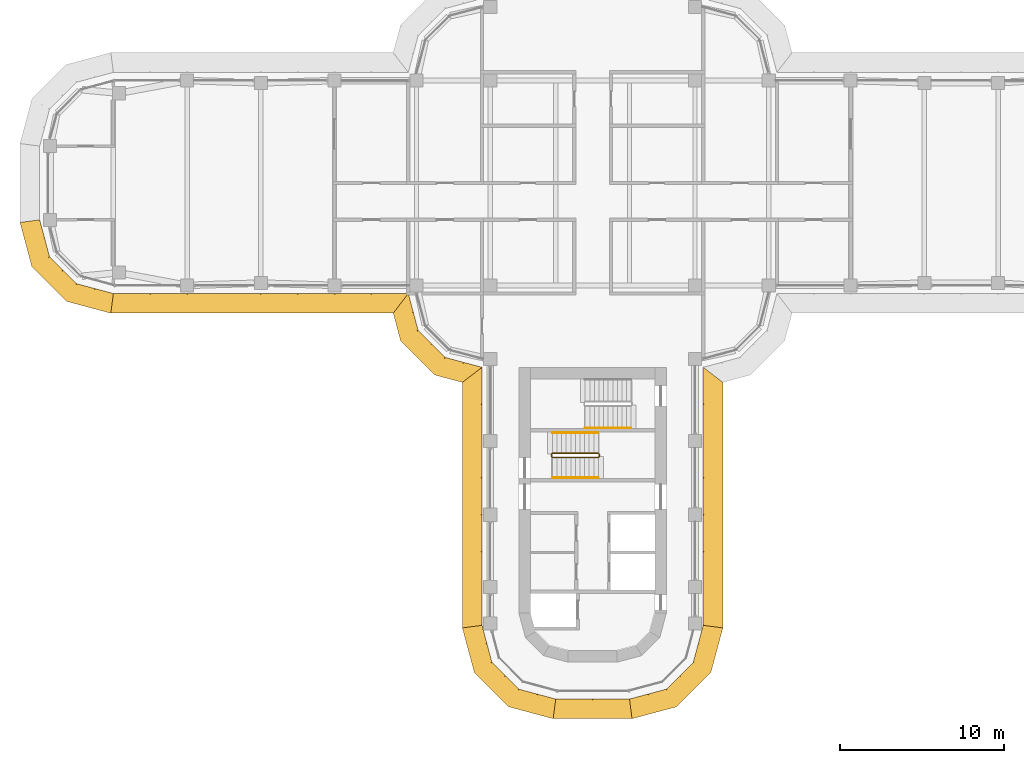
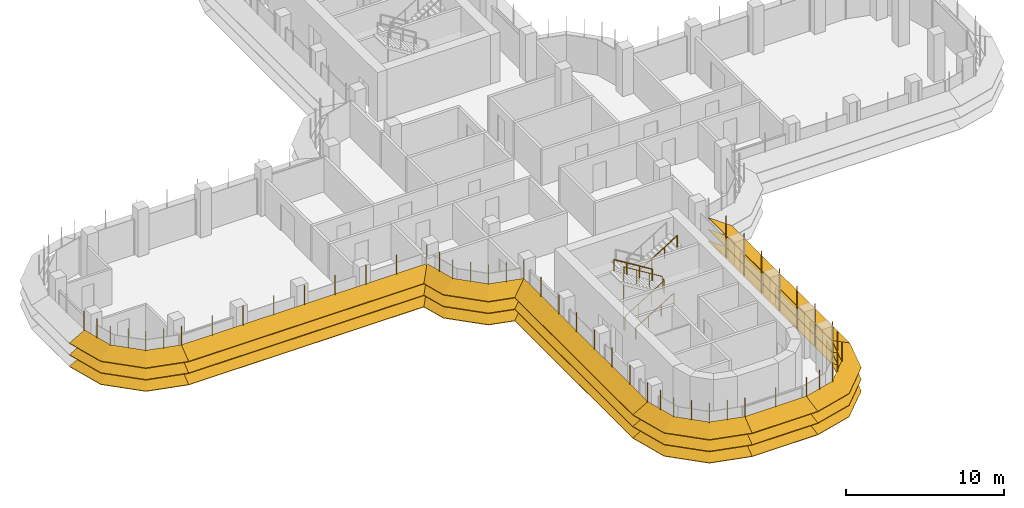
# One storey, part 17 of 20: 8 shading devices, 4 railings.
"""IFC4 building model written with IfcOpenShell, lengths in metres."""

from ifc_helpers import new_model, si_unit, direction, frame, origin, origin_2d, place, context, subcontext, project, spatial, polyline, circle, outline, extrude, faceted_brep, source, transform, mapped, material, type_object, element, save


model = new_model("IFC4")

# Units and contexts
model_context = context("Model", 3, precision=1e-05, world=origin(), true_north=direction((0.0, 1.0)))
body_context = subcontext(model_context, "Body", "Model", "MODEL_VIEW")
ifc_project = project(units=[si_unit("LENGTHUNIT", "METRE"), si_unit("AREAUNIT", "SQUARE_METRE"), si_unit("VOLUMEUNIT", "CUBIC_METRE"), si_unit("PLANEANGLEUNIT", "RADIAN"), si_unit("MASSUNIT", "GRAM", prefix="KILO")], contexts=[model_context])

# Site, building, storey
site_placement = place(None, origin())
site = spatial("IfcSite", under=ifc_project, at=site_placement, CompositionType="ELEMENT")
building_placement = place(site_placement, origin())
building = spatial("IfcBuilding", under=site, at=building_placement, Name="Zarbagh Exchange Tower", CompositionType="ELEMENT")
storey_placement = place(building_placement, frame((0.0, 0.0, 163.800048828125)))
storey = spatial("IfcBuildingStorey", under=building, at=storey_placement, Name="L39", CompositionType="ELEMENT", Elevation=163.800048828125)

# Railings
ifc_material_1 = material(Name="Stainless steel", Category="steel")
railing_type_1 = type_object("IfcRailingType", Name="Stair guard 1100 mm", PredefinedType="GUARDRAIL", material=ifc_material_1)
railing_1_placement = place(storey_placement, frame((0.35009765625, -16.5, 2.07275390625)))
element("IfcRailing", 1, at=railing_1_placement, inside=storey, type_object=railing_type_1, Name="ST3 stair guard 1", PredefinedType="GUARDRAIL", context=body_context, shape_type="SweptSolid", body=[
    extrude(circle(Radius=0.02392578125, at=origin_2d()), frame((0.0, 0.0, 1.076171875), z_axis=(-0.851089632645, 0.0, 0.525020415988), x_axis=(0.0, -1.0, 0.0)), (0.0, 0.0, 1.0), 3.2900390625),
    extrude(circle(Radius=0.02392578125, at=origin_2d()), frame((-2.800048828125, 0.0, 2.80322265625), z_axis=(-0.013168290981, -0.013168290981, -0.999826581076), x_axis=(0.707106781187, -0.707106781187, 0.0)), (0.0, 0.0, 1.0), 3.80078125),
    extrude(circle(Radius=0.02392578125, at=origin_2d()), frame((-2.85009765625, -0.050048828125, -0.99658203125), z_axis=(0.0, -1.0, 0.0), x_axis=(1.0, 0.0, 0.0)), (0.0, 0.0, 1.0), 0.14990234375),
    extrude(circle(Radius=0.02392578125, at=origin_2d()), frame((-2.85009765625, -0.199951171875, -0.99658203125), z_axis=(0.268277960024, -0.268277960024, 0.925231793839), x_axis=(0.707106781187, 0.707106781187, 0.0)), (0.0, 0.0, 1.0), 0.1865234375),
    extrude(circle(Radius=0.02392578125, at=origin_2d()), frame((-2.800048828125, -0.25, -0.82421875), z_axis=(0.851089632645, 0.0, 0.525020415988), x_axis=(0.0, 1.0, 0.0)), (0.0, 0.0, 1.0), 3.2900390625),
    extrude(circle(Radius=0.02392578125, at=origin_2d()), frame((0.0, -0.25, 0.9033203125), z_axis=(0.705375805398, 0.708833529934, 0.0), x_axis=(-0.708833529934, 0.705375805398, 0.0)), (0.0, 0.0, 1.0), 0.070556640625),
    extrude(circle(Radius=0.02392578125, at=origin_2d()), frame((0.0498046875, -0.199951171875, 0.9033203125), z_axis=(0.0, 1.0, 0.0), x_axis=(-1.0, 0.0, 0.0)), (0.0, 0.0, 1.0), 0.14990234375),
    extrude(circle(Radius=0.02099609375, at=origin_2d()), origin(), (0.0, 0.0, 1.0), 1.052001953125),
    extrude(circle(Radius=0.02099609375, at=origin_2d()), frame((-0.933349609375, 0.0, 0.57568359375)), (0.0, 0.0, 1.0), 1.052001953125),
    extrude(circle(Radius=0.02099609375, at=origin_2d()), frame((-1.86669921875, 0.0, 1.151611328125)), (0.0, 0.0, 1.0), 1.052001953125),
    extrude(circle(Radius=0.02099609375, at=origin_2d()), frame((-2.800048828125, 0.0, 1.727294921875)), (0.0, 0.0, 1.0), 1.052001953125),
    extrude(circle(Radius=0.02099609375, at=origin_2d()), frame((-2.8125, -0.012451171875, 0.77734375)), (0.0, 0.0, 1.0), 1.052001953125),
    extrude(circle(Radius=0.02099609375, at=origin_2d()), frame((-2.8251953125, -0.02490234375, -0.1728515625)), (0.0, 0.0, 1.0), 1.052001953125),
    extrude(circle(Radius=0.02099609375, at=origin_2d()), frame((-2.837646484375, -0.03759765625, -1.122802734375)), (0.0, 0.0, 1.0), 1.052001953125),
    extrude(circle(Radius=0.02099609375, at=origin_2d()), frame((-2.85009765625, -0.050048828125, -2.07275390625)), (0.0, 0.0, 1.0), 1.052001953125),
    extrude(circle(Radius=0.02099609375, at=origin_2d()), frame((-2.85009765625, -0.199951171875, -2.07275390625)), (0.0, 0.0, 1.0), 1.052001953125),
    extrude(circle(Radius=0.02099609375, at=origin_2d()), frame((-2.800048828125, -0.25, -1.900146484375)), (0.0, 0.0, 1.0), 1.052001953125),
    extrude(circle(Radius=0.02099609375, at=origin_2d()), frame((-1.86669921875, -0.25, -1.324462890625)), (0.0, 0.0, 1.0), 1.052001953125),
    extrude(circle(Radius=0.02099609375, at=origin_2d()), frame((-0.933349609375, -0.25, -0.74853515625)), (0.0, 0.0, 1.0), 1.052001953125),
    extrude(circle(Radius=0.02099609375, at=origin_2d()), frame((0.0, -0.25, -0.1728515625)), (0.0, 0.0, 1.0), 1.052001953125),
    extrude(circle(Radius=0.02099609375, at=origin_2d()), frame((0.0498046875, -0.199951171875, -0.1728515625)), (0.0, 0.0, 1.0), 1.052001953125),
    extrude(circle(Radius=0.02099609375, at=origin_2d()), frame((0.0498046875, -0.050048828125, -0.1728515625)), (0.0, 0.0, 1.0), 1.052001953125),
])
railing_type_2 = type_object("IfcRailingType", Name="Stair handrail 900 mm", PredefinedType="HANDRAIL", material=ifc_material_1)
railing_2_placement = place(storey_placement, frame((-2.449951171875, -18.0, 0.172607421875)))
element("IfcRailing", 2, at=railing_2_placement, inside=storey, type_object=railing_type_2, Name="ST3 stair handrail 1", PredefinedType="HANDRAIL", context=body_context, shape_type="SweptSolid", body=[
    extrude(circle(Radius=0.02392578125, at=origin_2d()), frame((0.0, 0.0, 0.8759765625), z_axis=(0.851089632645, 0.0, 0.525020415988), x_axis=(0.0, 1.0, 0.0)), (0.0, 0.0, 1.0), 3.2900390625),
    extrude(circle(Radius=0.02099609375, at=origin_2d()), origin(), (0.0, 0.0, 1.0), 0.851806640625),
    extrude(circle(Radius=0.02099609375, at=origin_2d()), frame((0.933349609375, 0.0, 0.57568359375)), (0.0, 0.0, 1.0), 0.851806640625),
    extrude(circle(Radius=0.02099609375, at=origin_2d()), frame((1.86669921875, 0.0, 1.151611328125)), (0.0, 0.0, 1.0), 0.851806640625),
    extrude(circle(Radius=0.02099609375, at=origin_2d()), frame((2.800048828125, 0.0, 1.727294921875)), (0.0, 0.0, 1.0), 0.851806640625),
])
railing_3_placement = place(storey_placement, frame((0.35009765625, -15.25, 2.07275390625)))
element("IfcRailing", 3, at=railing_3_placement, inside=storey, type_object=railing_type_2, Name="ST3 stair handrail 2", PredefinedType="HANDRAIL", context=body_context, shape_type="SweptSolid", body=[
    extrude(circle(Radius=0.02392578125, at=origin_2d()), frame((0.0, 0.0, 0.8759765625), z_axis=(-0.851089632645, 0.0, 0.525020415988), x_axis=(0.0, -1.0, 0.0)), (0.0, 0.0, 1.0), 3.2900390625),
    extrude(circle(Radius=0.02099609375, at=origin_2d()), origin(), (0.0, 0.0, 1.0), 0.851806640625),
    extrude(circle(Radius=0.02099609375, at=origin_2d()), frame((-0.933349609375, 0.0, 0.57568359375)), (0.0, 0.0, 1.0), 0.851806640625),
    extrude(circle(Radius=0.02099609375, at=origin_2d()), frame((-1.86669921875, 0.0, 1.151611328125)), (0.0, 0.0, 1.0), 0.851806640625),
    extrude(circle(Radius=0.02099609375, at=origin_2d()), frame((-2.800048828125, 0.0, 1.727294921875)), (0.0, 0.0, 1.0), 0.851806640625),
])
railing_4_placement = place(storey_placement, frame((-0.449951171875, -14.949951171875, 2.07275390625)))
element("IfcRailing", 4, at=railing_4_placement, inside=storey, type_object=railing_type_2, Name="ST4 stair handrail 2", PredefinedType="HANDRAIL", context=body_context, shape_type="SweptSolid", body=[
    extrude(circle(Radius=0.02392578125, at=origin_2d()), frame((0.0, 0.0, 0.8759765625), z_axis=(0.851089632645, 0.0, 0.525020415988), x_axis=(0.0, 1.0, 0.0)), (0.0, 0.0, 1.0), 3.2900390625),
    extrude(circle(Radius=0.02099609375, at=origin_2d()), origin(), (0.0, 0.0, 1.0), 0.851806640625),
    extrude(circle(Radius=0.02099609375, at=origin_2d()), frame((0.933349609375, 0.0, 0.57568359375)), (0.0, 0.0, 1.0), 0.851806640625),
    extrude(circle(Radius=0.02099609375, at=origin_2d()), frame((1.86669921875, 0.0, 1.151611328125)), (0.0, 0.0, 1.0), 0.851806640625),
    extrude(circle(Radius=0.02099609375, at=origin_2d()), frame((2.800048828125, 0.0, 1.727294921875)), (0.0, 0.0, 1.0), 0.851806640625),
])

# Shading devices
ifc_material_2 = material(Name="Anodised aluminium blades and brackets", Category="aluminium")
shading_device_type = type_object("IfcShadingDeviceType", Name="SUNSHADE louvre band, 22.5 degree blades", PredefinedType="JALOUSIE", material=ifc_material_2)
shared_shape_1 = source(origin(), body_context, "Body", "Brep", [
    faceted_brep([(0.0, 0.0, 0.0), (0.0, 0.0, -0.043212890625), (-0.157958984375, -1.199951171875, -0.540283203125), (-0.157958984375, -1.199951171875, -0.4970703125), (2.65087890625, -1.199951171875, -0.4970703125), (2.65087890625, -1.199951171875, -0.540283203125), (2.329345703125, 0.0, -0.043212890625), (2.329345703125, 0.0, 0.0)], [[[0, 1, 2, 3]], [[4, 5, 6, 7]], [[0, 7, 6, 1]], [[1, 6, 5, 2]], [[2, 5, 4, 3]], [[3, 4, 7, 0]]]),
])
shared_shape_2 = source(origin(), body_context, "Body", "Brep", [
    faceted_brep([(0.0, 0.0, 0.0), (0.0, 0.0, -0.043212890625), (-0.321533203125, -1.199951171875, -0.540283203125), (-0.321533203125, -1.199951171875, -0.4970703125), (2.65087890625, -1.199951171875, -0.4970703125), (2.65087890625, -1.199951171875, -0.540283203125), (2.329345703125, 0.0, -0.043212890625), (2.329345703125, 0.0, 0.0)], [[[0, 1, 2, 3]], [[4, 5, 6, 7]], [[0, 7, 6, 1]], [[1, 6, 5, 2]], [[2, 5, 4, 3]], [[3, 4, 7, 0]]]),
])
shared_shape_3 = source(origin(), body_context, "Body", "Brep", [
    faceted_brep([(0.0, 0.0, 0.0), (0.0, 0.0, -0.043212890625), (-0.321533203125, -1.199951171875, -0.540283203125), (-0.321533203125, -1.199951171875, -0.4970703125), (2.4873046875, -1.199951171875, -0.4970703125), (2.4873046875, -1.199951171875, -0.540283203125), (2.329345703125, 0.0, -0.043212890625), (2.329345703125, 0.0, 0.0)], [[[0, 1, 2, 3]], [[4, 5, 6, 7]], [[0, 7, 6, 1]], [[1, 6, 5, 2]], [[2, 5, 4, 3]], [[3, 4, 7, 0]]]),
])
shared_shape_4 = source(origin(), body_context, "Body", "SweptSolid", [
    extrude(outline(polyline([(0.0, -0.012451171875), (0.06005859375, -0.012451171875), (0.06005859375, 0.012451171875), (0.0, 0.012451171875), (0.0, -0.012451171875)])), origin(), (0.0, 0.0, 1.0), 3.353271484375),
])
placement = place(storey_placement, origin())
element("IfcShadingDevice", 5, at=placement, inside=storey, type_object=shading_device_type, Name="SS35 sunshade band", PredefinedType="JALOUSIE", context=body_context, shape_type="MappedRepresentation", body=[
    mapped(shared_shape_1, transform((2.25, -31.5, 2.300048828125), x_axis=(0.965924289636, 0.258824779902, 0.0), y_axis=(-0.258824779902, 0.965924289636, 0.0), z_axis=(0.0, 0.0, 1.0))),
    mapped(shared_shape_1, transform((2.25, -31.5, 1.39990234375), x_axis=(0.965924289636, 0.258824779902, 0.0), y_axis=(-0.258824779902, 0.965924289636, 0.0), z_axis=(0.0, 0.0, 1.0))),
    mapped(shared_shape_1, transform((2.25, -31.5, 0.5), x_axis=(0.965924289636, 0.258824779902, 0.0), y_axis=(-0.258824779902, 0.965924289636, 0.0), z_axis=(0.0, 0.0, 1.0))),
    mapped(shared_shape_2, transform((4.5, -30.897216796875, 2.300048828125), x_axis=(0.707106781187, 0.707106781187, 0.0), y_axis=(-0.707106781187, 0.707106781187, 0.0), z_axis=(0.0, 0.0, 1.0))),
    mapped(shared_shape_2, transform((4.5, -30.897216796875, 1.39990234375), x_axis=(0.707106781187, 0.707106781187, 0.0), y_axis=(-0.707106781187, 0.707106781187, 0.0), z_axis=(0.0, 0.0, 1.0))),
    mapped(shared_shape_2, transform((4.5, -30.897216796875, 0.5), x_axis=(0.707106781187, 0.707106781187, 0.0), y_axis=(-0.707106781187, 0.707106781187, 0.0), z_axis=(0.0, 0.0, 1.0))),
    mapped(shared_shape_3, transform((6.147216796875, -29.25, 2.300048828125), x_axis=(0.258824779902, 0.965924289636, 0.0), y_axis=(-0.965924289636, 0.258824779902, 0.0), z_axis=(0.0, 0.0, 1.0))),
    mapped(shared_shape_3, transform((6.147216796875, -29.25, 1.39990234375), x_axis=(0.258824779902, 0.965924289636, 0.0), y_axis=(-0.965924289636, 0.258824779902, 0.0), z_axis=(0.0, 0.0, 1.0))),
    mapped(shared_shape_3, transform((6.147216796875, -29.25, 0.5), x_axis=(0.258824779902, 0.965924289636, 0.0), y_axis=(-0.965924289636, 0.258824779902, 0.0), z_axis=(0.0, 0.0, 1.0))),
    mapped(shared_shape_4, transform((2.25, -31.5, 0.4267578125), x_axis=(0.130529263012, -0.991444457092, 0.0), y_axis=(0.991444457092, 0.130529263012, 0.0), z_axis=(0.0, 0.0, 1.0))),
    mapped(shared_shape_4, transform((3.375, -31.198486328125, 0.4267578125), x_axis=(0.258825058029, -0.96592421511, 0.0), y_axis=(0.96592421511, 0.258825058029, 0.0), z_axis=(0.0, 0.0, 1.0))),
    mapped(shared_shape_4, transform((4.5, -30.897216796875, 0.4267578125), x_axis=(0.50000275701, -0.866023812018, 0.0), y_axis=(0.866023812018, 0.50000275701, 0.0), z_axis=(0.0, 0.0, 1.0))),
    mapped(shared_shape_4, transform((5.323486328125, -30.073486328125, 0.4267578125), x_axis=(0.707106781187, -0.707106781187, 0.0), y_axis=(0.707106781187, 0.707106781187, 0.0), z_axis=(0.0, 0.0, 1.0))),
    mapped(shared_shape_4, transform((6.147216796875, -29.25, 0.4267578125), x_axis=(0.866023812018, -0.50000275701, 0.0), y_axis=(0.50000275701, 0.866023812018, 0.0), z_axis=(0.0, 0.0, 1.0))),
    mapped(shared_shape_4, transform((6.448486328125, -28.125, 0.4267578125), x_axis=(0.96592421511, -0.258825058029, 0.0), y_axis=(0.258825058029, 0.96592421511, 0.0), z_axis=(0.0, 0.0, 1.0))),
])
element("IfcShadingDevice", 6, at=placement, inside=storey, type_object=shading_device_type, Name="SS19 sunshade band", PredefinedType="JALOUSIE", context=body_context, shape_type="MappedRepresentation", body=[
    mapped(shared_shape_1, transform((-33.75, -2.25, 2.300048828125), x_axis=(0.258824779902, -0.965924289636, 0.0), y_axis=(0.965924289636, 0.258824779902, 0.0), z_axis=(0.0, 0.0, 1.0))),
    mapped(shared_shape_1, transform((-33.75, -2.25, 1.39990234375), x_axis=(0.258824779902, -0.965924289636, 0.0), y_axis=(0.965924289636, 0.258824779902, 0.0), z_axis=(0.0, 0.0, 1.0))),
    mapped(shared_shape_1, transform((-33.75, -2.25, 0.5), x_axis=(0.258824779902, -0.965924289636, 0.0), y_axis=(0.965924289636, 0.258824779902, 0.0), z_axis=(0.0, 0.0, 1.0))),
    mapped(shared_shape_2, transform((-33.147216796875, -4.5, 2.300048828125), x_axis=(0.707106781187, -0.707106781187, 0.0), y_axis=(0.707106781187, 0.707106781187, 0.0), z_axis=(0.0, 0.0, 1.0))),
    mapped(shared_shape_2, transform((-33.147216796875, -4.5, 1.39990234375), x_axis=(0.707106781187, -0.707106781187, 0.0), y_axis=(0.707106781187, 0.707106781187, 0.0), z_axis=(0.0, 0.0, 1.0))),
    mapped(shared_shape_2, transform((-33.147216796875, -4.5, 0.5), x_axis=(0.707106781187, -0.707106781187, 0.0), y_axis=(0.707106781187, 0.707106781187, 0.0), z_axis=(0.0, 0.0, 1.0))),
    mapped(shared_shape_3, transform((-31.5, -6.147216796875, 2.300048828125), x_axis=(0.965924289636, -0.258824779902, 0.0), y_axis=(0.258824779902, 0.965924289636, 0.0), z_axis=(0.0, 0.0, 1.0))),
    mapped(shared_shape_3, transform((-31.5, -6.147216796875, 1.39990234375), x_axis=(0.965924289636, -0.258824779902, 0.0), y_axis=(0.258824779902, 0.965924289636, 0.0), z_axis=(0.0, 0.0, 1.0))),
    mapped(shared_shape_3, transform((-31.5, -6.147216796875, 0.5), x_axis=(0.965924289636, -0.258824779902, 0.0), y_axis=(0.258824779902, 0.965924289636, 0.0), z_axis=(0.0, 0.0, 1.0))),
    mapped(shared_shape_4, transform((-33.75, -2.25, 0.4267578125), x_axis=(-0.991444457092, -0.130529263012, 0.0), y_axis=(0.130529263012, -0.991444457092, 0.0), z_axis=(0.0, 0.0, 1.0))),
    mapped(shared_shape_4, transform((-33.448486328125, -3.375, 0.4267578125), x_axis=(-0.96592421511, -0.258825058029, 0.0), y_axis=(0.258825058029, -0.96592421511, 0.0), z_axis=(0.0, 0.0, 1.0))),
    mapped(shared_shape_4, transform((-33.147216796875, -4.5, 0.4267578125), x_axis=(-0.866023812018, -0.50000275701, 0.0), y_axis=(0.50000275701, -0.866023812018, 0.0), z_axis=(0.0, 0.0, 1.0))),
    mapped(shared_shape_4, transform((-32.323486328125, -5.323486328125, 0.4267578125), x_axis=(-0.707106781187, -0.707106781187, 0.0), y_axis=(0.707106781187, -0.707106781187, 0.0), z_axis=(0.0, 0.0, 1.0))),
    mapped(shared_shape_4, transform((-31.5, -6.147216796875, 0.4267578125), x_axis=(-0.50000275701, -0.866023812018, 0.0), y_axis=(0.866023812018, -0.50000275701, 0.0), z_axis=(0.0, 0.0, 1.0))),
    mapped(shared_shape_4, transform((-30.375, -6.448486328125, 0.4267578125), x_axis=(-0.258825058029, -0.96592421511, 0.0), y_axis=(0.96592421511, -0.258825058029, 0.0), z_axis=(0.0, 0.0, 1.0))),
])
element("IfcShadingDevice", 7, at=placement, inside=storey, type_object=shading_device_type, Name="SS38 sunshade band", PredefinedType="JALOUSIE", context=body_context, shape_type="MappedRepresentation", body=[
    mapped(shared_shape_1, transform((-6.75, -27.0, 2.300048828125), x_axis=(0.258824779902, -0.965924289636, 0.0), y_axis=(0.965924289636, 0.258824779902, 0.0), z_axis=(0.0, 0.0, 1.0))),
    mapped(shared_shape_1, transform((-6.75, -27.0, 1.39990234375), x_axis=(0.258824779902, -0.965924289636, 0.0), y_axis=(0.965924289636, 0.258824779902, 0.0), z_axis=(0.0, 0.0, 1.0))),
    mapped(shared_shape_1, transform((-6.75, -27.0, 0.5), x_axis=(0.258824779902, -0.965924289636, 0.0), y_axis=(0.965924289636, 0.258824779902, 0.0), z_axis=(0.0, 0.0, 1.0))),
    mapped(shared_shape_2, transform((-6.147216796875, -29.25, 2.300048828125), x_axis=(0.707106781187, -0.707106781187, 0.0), y_axis=(0.707106781187, 0.707106781187, 0.0), z_axis=(0.0, 0.0, 1.0))),
    mapped(shared_shape_2, transform((-6.147216796875, -29.25, 1.39990234375), x_axis=(0.707106781187, -0.707106781187, 0.0), y_axis=(0.707106781187, 0.707106781187, 0.0), z_axis=(0.0, 0.0, 1.0))),
    mapped(shared_shape_2, transform((-6.147216796875, -29.25, 0.5), x_axis=(0.707106781187, -0.707106781187, 0.0), y_axis=(0.707106781187, 0.707106781187, 0.0), z_axis=(0.0, 0.0, 1.0))),
    mapped(shared_shape_3, transform((-4.5, -30.897216796875, 2.300048828125), x_axis=(0.965924289636, -0.258824779902, 0.0), y_axis=(0.258824779902, 0.965924289636, 0.0), z_axis=(0.0, 0.0, 1.0))),
    mapped(shared_shape_3, transform((-4.5, -30.897216796875, 1.39990234375), x_axis=(0.965924289636, -0.258824779902, 0.0), y_axis=(0.258824779902, 0.965924289636, 0.0), z_axis=(0.0, 0.0, 1.0))),
    mapped(shared_shape_3, transform((-4.5, -30.897216796875, 0.5), x_axis=(0.965924289636, -0.258824779902, 0.0), y_axis=(0.258824779902, 0.965924289636, 0.0), z_axis=(0.0, 0.0, 1.0))),
    mapped(shared_shape_4, transform((-6.75, -27.0, 0.4267578125), x_axis=(-0.991444457092, -0.130529263012, 0.0), y_axis=(0.130529263012, -0.991444457092, 0.0), z_axis=(0.0, 0.0, 1.0))),
    mapped(shared_shape_4, transform((-6.448486328125, -28.125, 0.4267578125), x_axis=(-0.96592421511, -0.258825058029, 0.0), y_axis=(0.258825058029, -0.96592421511, 0.0), z_axis=(0.0, 0.0, 1.0))),
    mapped(shared_shape_4, transform((-6.147216796875, -29.25, 0.4267578125), x_axis=(-0.866023812018, -0.50000275701, 0.0), y_axis=(0.50000275701, -0.866023812018, 0.0), z_axis=(0.0, 0.0, 1.0))),
    mapped(shared_shape_4, transform((-5.323486328125, -30.073486328125, 0.4267578125), x_axis=(-0.707106781187, -0.707106781187, 0.0), y_axis=(0.707106781187, -0.707106781187, 0.0), z_axis=(0.0, 0.0, 1.0))),
    mapped(shared_shape_4, transform((-4.5, -30.897216796875, 0.4267578125), x_axis=(-0.50000275701, -0.866023812018, 0.0), y_axis=(0.866023812018, -0.50000275701, 0.0), z_axis=(0.0, 0.0, 1.0))),
    mapped(shared_shape_4, transform((-3.375, -31.198486328125, 0.4267578125), x_axis=(-0.258825058029, -0.96592421511, 0.0), y_axis=(0.96592421511, -0.258825058029, 0.0), z_axis=(0.0, 0.0, 1.0))),
])
shared_shape_5 = source(origin(), body_context, "Body", "Brep", [
    faceted_brep([(0.0, 0.0, 0.0), (0.0, 0.0, -0.043212890625), (0.9208984375, -1.199951171875, -0.540283203125), (0.9208984375, -1.199951171875, -0.4970703125), (2.65087890625, -1.199951171875, -0.4970703125), (2.65087890625, -1.199951171875, -0.540283203125), (2.329345703125, 0.0, -0.043212890625), (2.329345703125, 0.0, 0.0)], [[[0, 1, 2, 3]], [[4, 5, 6, 7]], [[0, 7, 6, 1]], [[1, 6, 5, 2]], [[2, 5, 4, 3]], [[3, 4, 7, 0]]]),
])
shared_shape_6 = source(origin(), body_context, "Body", "Brep", [
    faceted_brep([(0.0, 0.0, 0.0), (0.0, 0.0, -0.043212890625), (-0.321533203125, -1.199951171875, -0.540283203125), (-0.321533203125, -1.199951171875, -0.4970703125), (1.40869140625, -1.199951171875, -0.4970703125), (1.40869140625, -1.199951171875, -0.540283203125), (2.329345703125, 0.0, -0.043212890625), (2.329345703125, 0.0, 0.0)], [[[0, 1, 2, 3]], [[4, 5, 6, 7]], [[0, 7, 6, 1]], [[1, 6, 5, 2]], [[2, 5, 4, 3]], [[3, 4, 7, 0]]]),
])
element("IfcShadingDevice", 8, at=placement, inside=storey, type_object=shading_device_type, Name="SS21 sunshade band", PredefinedType="JALOUSIE", context=body_context, shape_type="MappedRepresentation", body=[
    mapped(shared_shape_5, transform((-11.25, -6.75, 2.300048828125), x_axis=(0.258824779902, -0.965924289636, 0.0), y_axis=(0.965924289636, 0.258824779902, 0.0), z_axis=(0.0, 0.0, 1.0))),
    mapped(shared_shape_5, transform((-11.25, -6.75, 1.39990234375), x_axis=(0.258824779902, -0.965924289636, 0.0), y_axis=(0.965924289636, 0.258824779902, 0.0), z_axis=(0.0, 0.0, 1.0))),
    mapped(shared_shape_5, transform((-11.25, -6.75, 0.5), x_axis=(0.258824779902, -0.965924289636, 0.0), y_axis=(0.965924289636, 0.258824779902, 0.0), z_axis=(0.0, 0.0, 1.0))),
    mapped(shared_shape_2, transform((-10.647216796875, -9.0, 2.300048828125), x_axis=(0.707106781187, -0.707106781187, 0.0), y_axis=(0.707106781187, 0.707106781187, 0.0), z_axis=(0.0, 0.0, 1.0))),
    mapped(shared_shape_2, transform((-10.647216796875, -9.0, 1.39990234375), x_axis=(0.707106781187, -0.707106781187, 0.0), y_axis=(0.707106781187, 0.707106781187, 0.0), z_axis=(0.0, 0.0, 1.0))),
    mapped(shared_shape_2, transform((-10.647216796875, -9.0, 0.5), x_axis=(0.707106781187, -0.707106781187, 0.0), y_axis=(0.707106781187, 0.707106781187, 0.0), z_axis=(0.0, 0.0, 1.0))),
    mapped(shared_shape_6, transform((-9.0, -10.647216796875, 2.300048828125), x_axis=(0.965924289636, -0.258824779902, 0.0), y_axis=(0.258824779902, 0.965924289636, 0.0), z_axis=(0.0, 0.0, 1.0))),
    mapped(shared_shape_6, transform((-9.0, -10.647216796875, 1.39990234375), x_axis=(0.965924289636, -0.258824779902, 0.0), y_axis=(0.258824779902, 0.965924289636, 0.0), z_axis=(0.0, 0.0, 1.0))),
    mapped(shared_shape_6, transform((-9.0, -10.647216796875, 0.5), x_axis=(0.965924289636, -0.258824779902, 0.0), y_axis=(0.258824779902, 0.965924289636, 0.0), z_axis=(0.0, 0.0, 1.0))),
    mapped(shared_shape_4, transform((-11.25, -6.75, 0.4267578125), x_axis=(-0.608758892, -0.793355287, 0.0), y_axis=(0.793355287, -0.608758892, 0.0), z_axis=(0.0, 0.0, 1.0))),
    mapped(shared_shape_4, transform((-10.948486328125, -7.875, 0.4267578125), x_axis=(-0.96592421511, -0.258825058029, 0.0), y_axis=(0.258825058029, -0.96592421511, 0.0), z_axis=(0.0, 0.0, 1.0))),
    mapped(shared_shape_4, transform((-10.647216796875, -9.0, 0.4267578125), x_axis=(-0.866023812018, -0.50000275701, 0.0), y_axis=(0.50000275701, -0.866023812018, 0.0), z_axis=(0.0, 0.0, 1.0))),
    mapped(shared_shape_4, transform((-9.823486328125, -9.823486328125, 0.4267578125), x_axis=(-0.707106781187, -0.707106781187, 0.0), y_axis=(0.707106781187, -0.707106781187, 0.0), z_axis=(0.0, 0.0, 1.0))),
    mapped(shared_shape_4, transform((-9.0, -10.647216796875, 0.4267578125), x_axis=(-0.50000275701, -0.866023812018, 0.0), y_axis=(0.866023812018, -0.50000275701, 0.0), z_axis=(0.0, 0.0, 1.0))),
    mapped(shared_shape_4, transform((-7.875, -10.948486328125, 0.4267578125), x_axis=(-0.258825058029, -0.96592421511, 0.0), y_axis=(0.96592421511, -0.258825058029, 0.0), z_axis=(0.0, 0.0, 1.0))),
])
shared_shape_7 = source(origin(), body_context, "Body", "Brep", [
    faceted_brep([(0.0, 0.0, 0.0), (0.0, 0.0, -0.043212890625), (-0.157958984375, -1.199951171875, -0.540283203125), (-0.157958984375, -1.199951171875, -0.4970703125), (14.8291015625, -1.199951171875, -0.4970703125), (14.8291015625, -1.199951171875, -0.540283203125), (15.75, 0.0, -0.043212890625), (15.75, 0.0, 0.0)], [[[0, 1, 2, 3]], [[4, 5, 6, 7]], [[0, 7, 6, 1]], [[1, 6, 5, 2]], [[2, 5, 4, 3]], [[3, 4, 7, 0]]]),
])
element("IfcShadingDevice", 9, at=placement, inside=storey, type_object=shading_device_type, Name="SS36 sunshade band", PredefinedType="JALOUSIE", context=body_context, shape_type="MappedRepresentation", body=[
    mapped(shared_shape_7, transform((6.75, -27.0, 2.300048828125), x_axis=(0.0, 1.0, 0.0), y_axis=(-1.0, 0.0, 0.0), z_axis=(0.0, 0.0, 1.0))),
    mapped(shared_shape_7, transform((6.75, -27.0, 1.39990234375), x_axis=(0.0, 1.0, 0.0), y_axis=(-1.0, 0.0, 0.0), z_axis=(0.0, 0.0, 1.0))),
    mapped(shared_shape_7, transform((6.75, -27.0, 0.5), x_axis=(0.0, 1.0, 0.0), y_axis=(-1.0, 0.0, 0.0), z_axis=(0.0, 0.0, 1.0))),
    mapped(shared_shape_4, transform((6.75, -27.0, 0.4267578125), x_axis=(0.991444457092, -0.130529263012, 0.0), y_axis=(0.130529263012, 0.991444457092, 0.0), z_axis=(0.0, 0.0, 1.0))),
    mapped(shared_shape_4, transform((6.75, -24.75, 0.4267578125), x_axis=(1.0, 0.0, 0.0), y_axis=(0.0, 1.0, 0.0), z_axis=(0.0, 0.0, 1.0))),
    mapped(shared_shape_4, transform((6.75, -22.5, 0.4267578125), x_axis=(1.0, 0.0, 0.0), y_axis=(0.0, 1.0, 0.0), z_axis=(0.0, 0.0, 1.0))),
    mapped(shared_shape_4, transform((6.75, -20.25, 0.4267578125), x_axis=(1.0, 0.0, 0.0), y_axis=(0.0, 1.0, 0.0), z_axis=(0.0, 0.0, 1.0))),
    mapped(shared_shape_4, transform((6.75, -18.0, 0.4267578125), x_axis=(1.0, 0.0, 0.0), y_axis=(0.0, 1.0, 0.0), z_axis=(0.0, 0.0, 1.0))),
    mapped(shared_shape_4, transform((6.75, -15.75, 0.4267578125), x_axis=(1.0, 0.0, 0.0), y_axis=(0.0, 1.0, 0.0), z_axis=(0.0, 0.0, 1.0))),
    mapped(shared_shape_4, transform((6.75, -13.5, 0.4267578125), x_axis=(1.0, 0.0, 0.0), y_axis=(0.0, 1.0, 0.0), z_axis=(0.0, 0.0, 1.0))),
])
shared_shape_8 = source(origin(), body_context, "Body", "Brep", [
    faceted_brep([(0.0, 0.0, 0.0), (0.0, 0.0, -0.043212890625), (-0.157958984375, -1.199951171875, -0.540283203125), (-0.157958984375, -1.199951171875, -0.4970703125), (17.0791015625, -1.199951171875, -0.4970703125), (17.0791015625, -1.199951171875, -0.540283203125), (18.0, 0.0, -0.043212890625), (18.0, 0.0, 0.0)], [[[0, 1, 2, 3]], [[4, 5, 6, 7]], [[0, 7, 6, 1]], [[1, 6, 5, 2]], [[2, 5, 4, 3]], [[3, 4, 7, 0]]]),
])
element("IfcShadingDevice", 10, at=placement, inside=storey, type_object=shading_device_type, Name="SS20 sunshade band", PredefinedType="JALOUSIE", context=body_context, shape_type="MappedRepresentation", body=[
    mapped(shared_shape_8, transform((-29.25, -6.75, 2.300048828125), x_axis=(1.0, 0.0, 0.0), y_axis=(0.0, 1.0, 0.0), z_axis=(0.0, 0.0, 1.0))),
    mapped(shared_shape_8, transform((-29.25, -6.75, 1.39990234375), x_axis=(1.0, 0.0, 0.0), y_axis=(0.0, 1.0, 0.0), z_axis=(0.0, 0.0, 1.0))),
    mapped(shared_shape_8, transform((-29.25, -6.75, 0.5), x_axis=(1.0, 0.0, 0.0), y_axis=(0.0, 1.0, 0.0), z_axis=(0.0, 0.0, 1.0))),
    mapped(shared_shape_4, transform((-29.25, -6.75, 0.4267578125), x_axis=(-0.130529263012, -0.991444457092, 0.0), y_axis=(0.991444457092, -0.130529263012, 0.0), z_axis=(0.0, 0.0, 1.0))),
    mapped(shared_shape_4, transform((-27.0, -6.75, 0.4267578125), x_axis=(0.0, -1.0, 0.0), y_axis=(1.0, 0.0, 0.0), z_axis=(0.0, 0.0, 1.0))),
    mapped(shared_shape_4, transform((-24.75, -6.75, 0.4267578125), x_axis=(0.0, -1.0, 0.0), y_axis=(1.0, 0.0, 0.0), z_axis=(0.0, 0.0, 1.0))),
    mapped(shared_shape_4, transform((-22.5, -6.75, 0.4267578125), x_axis=(0.0, -1.0, 0.0), y_axis=(1.0, 0.0, 0.0), z_axis=(0.0, 0.0, 1.0))),
    mapped(shared_shape_4, transform((-20.25, -6.75, 0.4267578125), x_axis=(0.0, -1.0, 0.0), y_axis=(1.0, 0.0, 0.0), z_axis=(0.0, 0.0, 1.0))),
    mapped(shared_shape_4, transform((-18.0, -6.75, 0.4267578125), x_axis=(0.0, -1.0, 0.0), y_axis=(1.0, 0.0, 0.0), z_axis=(0.0, 0.0, 1.0))),
    mapped(shared_shape_4, transform((-15.75, -6.75, 0.4267578125), x_axis=(0.0, -1.0, 0.0), y_axis=(1.0, 0.0, 0.0), z_axis=(0.0, 0.0, 1.0))),
    mapped(shared_shape_4, transform((-13.5, -6.75, 0.4267578125), x_axis=(0.0, -1.0, 0.0), y_axis=(1.0, 0.0, 0.0), z_axis=(0.0, 0.0, 1.0))),
])
shared_shape_9 = source(origin(), body_context, "Body", "Brep", [
    faceted_brep([(0.0, 0.0, 0.0), (0.0, 0.0, -0.043212890625), (0.9208984375, -1.199951171875, -0.540283203125), (0.9208984375, -1.199951171875, -0.4970703125), (15.907958984375, -1.199951171875, -0.4970703125), (15.907958984375, -1.199951171875, -0.540283203125), (15.75, 0.0, -0.043212890625), (15.75, 0.0, 0.0)], [[[0, 1, 2, 3]], [[4, 5, 6, 7]], [[0, 7, 6, 1]], [[1, 6, 5, 2]], [[2, 5, 4, 3]], [[3, 4, 7, 0]]]),
])
element("IfcShadingDevice", 11, at=placement, inside=storey, type_object=shading_device_type, Name="SS37 sunshade band", PredefinedType="JALOUSIE", context=body_context, shape_type="MappedRepresentation", body=[
    mapped(shared_shape_9, transform((-6.75, -11.25, 2.300048828125), x_axis=(0.0, -1.0, 0.0), y_axis=(1.0, 0.0, 0.0), z_axis=(0.0, 0.0, 1.0))),
    mapped(shared_shape_9, transform((-6.75, -11.25, 1.39990234375), x_axis=(0.0, -1.0, 0.0), y_axis=(1.0, 0.0, 0.0), z_axis=(0.0, 0.0, 1.0))),
    mapped(shared_shape_9, transform((-6.75, -11.25, 0.5), x_axis=(0.0, -1.0, 0.0), y_axis=(1.0, 0.0, 0.0), z_axis=(0.0, 0.0, 1.0))),
    mapped(shared_shape_4, transform((-6.75, -11.25, 0.4267578125), x_axis=(-0.793355287, -0.608758892, 0.0), y_axis=(0.608758892, -0.793355287, 0.0), z_axis=(0.0, 0.0, 1.0))),
    mapped(shared_shape_4, transform((-6.75, -13.5, 0.4267578125), x_axis=(-1.0, 0.0, 0.0), y_axis=(0.0, -1.0, 0.0), z_axis=(0.0, 0.0, 1.0))),
    mapped(shared_shape_4, transform((-6.75, -15.75, 0.4267578125), x_axis=(-1.0, 0.0, 0.0), y_axis=(0.0, -1.0, 0.0), z_axis=(0.0, 0.0, 1.0))),
    mapped(shared_shape_4, transform((-6.75, -18.0, 0.4267578125), x_axis=(-1.0, 0.0, 0.0), y_axis=(0.0, -1.0, 0.0), z_axis=(0.0, 0.0, 1.0))),
    mapped(shared_shape_4, transform((-6.75, -20.25, 0.4267578125), x_axis=(-1.0, 0.0, 0.0), y_axis=(0.0, -1.0, 0.0), z_axis=(0.0, 0.0, 1.0))),
    mapped(shared_shape_4, transform((-6.75, -22.5, 0.4267578125), x_axis=(-1.0, 0.0, 0.0), y_axis=(0.0, -1.0, 0.0), z_axis=(0.0, 0.0, 1.0))),
    mapped(shared_shape_4, transform((-6.75, -24.75, 0.4267578125), x_axis=(-1.0, 0.0, 0.0), y_axis=(0.0, -1.0, 0.0), z_axis=(0.0, 0.0, 1.0))),
])
shared_shape_10 = source(origin(), body_context, "Body", "Brep", [
    faceted_brep([(0.0, 0.0, 0.0), (0.0, 0.0, -0.043212890625), (-0.157958984375, -1.199951171875, -0.540283203125), (-0.157958984375, -1.199951171875, -0.4970703125), (4.657958984375, -1.199951171875, -0.4970703125), (4.657958984375, -1.199951171875, -0.540283203125), (4.5, 0.0, -0.043212890625), (4.5, 0.0, 0.0)], [[[0, 1, 2, 3]], [[4, 5, 6, 7]], [[0, 7, 6, 1]], [[1, 6, 5, 2]], [[2, 5, 4, 3]], [[3, 4, 7, 0]]]),
])
element("IfcShadingDevice", 12, at=placement, inside=storey, type_object=shading_device_type, Name="SS39 sunshade band", PredefinedType="JALOUSIE", context=body_context, shape_type="MappedRepresentation", body=[
    mapped(shared_shape_10, transform((-2.25, -31.5, 2.300048828125), x_axis=(1.0, 0.0, 0.0), y_axis=(0.0, 1.0, 0.0), z_axis=(0.0, 0.0, 1.0))),
    mapped(shared_shape_10, transform((-2.25, -31.5, 1.39990234375), x_axis=(1.0, 0.0, 0.0), y_axis=(0.0, 1.0, 0.0), z_axis=(0.0, 0.0, 1.0))),
    mapped(shared_shape_10, transform((-2.25, -31.5, 0.5), x_axis=(1.0, 0.0, 0.0), y_axis=(0.0, 1.0, 0.0), z_axis=(0.0, 0.0, 1.0))),
    mapped(shared_shape_4, transform((-2.25, -31.5, 0.4267578125), x_axis=(-0.130529263012, -0.991444457092, 0.0), y_axis=(0.991444457092, -0.130529263012, 0.0), z_axis=(0.0, 0.0, 1.0))),
    mapped(shared_shape_4, transform((0.0, -31.5, 0.4267578125), x_axis=(0.0, -1.0, 0.0), y_axis=(1.0, 0.0, 0.0), z_axis=(0.0, 0.0, 1.0))),
])

save(model, "model.ifc")
